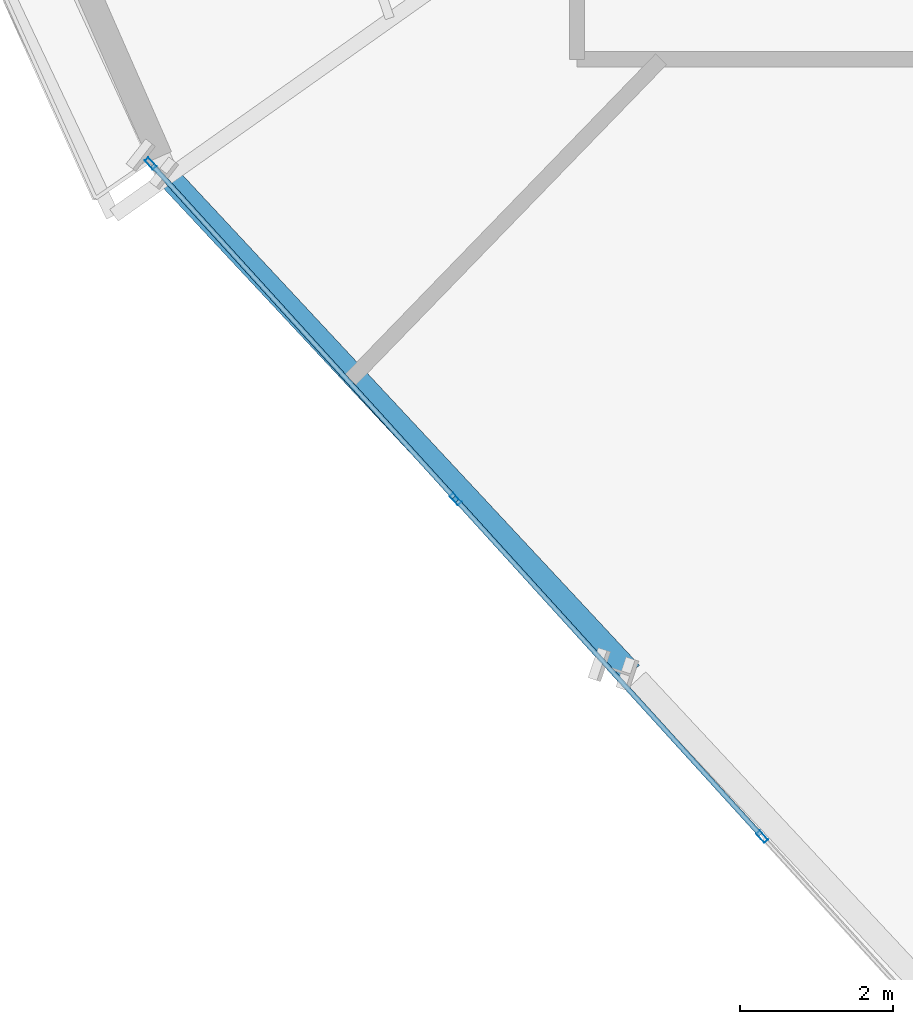
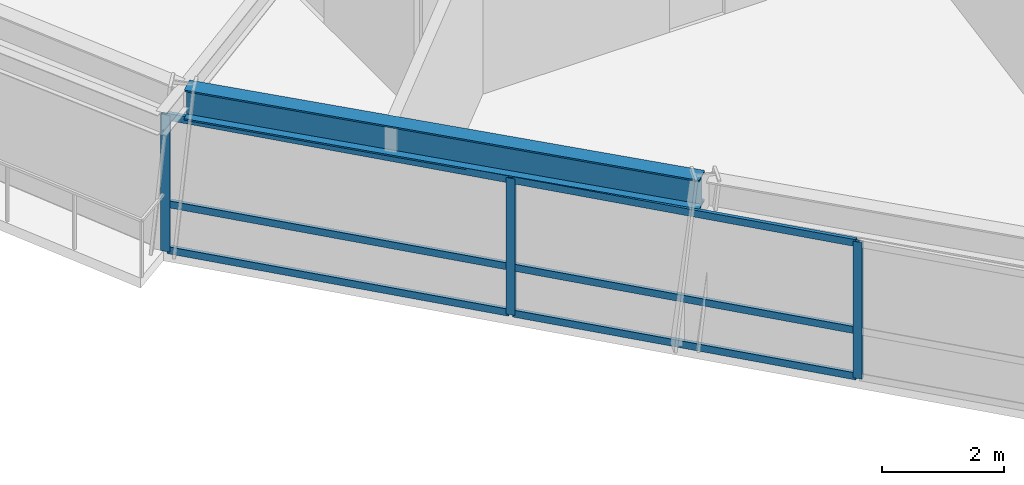
# One storey, part 2 of 13: 9 members, 1 beam, 1 element without a shape of its own.
"""IFC4 building model written with IfcOpenShell, lengths in metres."""

from ifc_helpers import new_model, si_unit, direction, frame, origin, origin_2d, place, context, subcontext, project, spatial, hollow_rectangle, i_section, extrude, source, transform, mapped, material, material_profile, profile_set, type_object, element, aggregate, save


model = new_model("IFC4")

# Units and contexts
model_context = context("Model", 3, precision=1e-05, world=origin(), true_north=direction((0.0, 1.0)))
body_context = subcontext(model_context, "Body", "Model", "MODEL_VIEW")
ifc_project = project(units=[si_unit("LENGTHUNIT", "METRE"), si_unit("AREAUNIT", "SQUARE_METRE"), si_unit("VOLUMEUNIT", "CUBIC_METRE"), si_unit("PLANEANGLEUNIT", "RADIAN"), si_unit("MASSUNIT", "GRAM", prefix="KILO")], contexts=[model_context])

# Site, building, storey
site_placement = place(None, origin())
site = spatial("IfcSite", under=ifc_project, at=site_placement, CompositionType="ELEMENT")
building_placement = place(site_placement, origin())
building = spatial("IfcBuilding", under=site, at=building_placement, Name="Olszyna Solenne Hotel", CompositionType="ELEMENT")
storey_placement = place(building_placement, frame((0.0, 0.0, 175.0)))
storey = spatial("IfcBuildingStorey", under=building, at=storey_placement, Name="L46", CompositionType="ELEMENT", Elevation=175.0)

# Beam
ifc_material_1 = material(Name="Steel S355J2", Category="steel")
ifc_material_profile_1 = material_profile(ifc_material_1, i_section(OverallWidth=0.300048828125, OverallDepth=0.60009765625, WebThickness=0.015380859375, FlangeThickness=0.030029296875, at=origin_2d()), Name="HEB 600", Category="load-bearing")
ifc_profile_set_1 = profile_set([ifc_material_profile_1], Name="Steel S355J2")
beam_type = type_object("IfcBeamType", Name="BM-S2", PredefinedType="BEAM", material=ifc_profile_set_1)
shared_shape_1 = source(origin(), body_context, "Body", "SweptSolid", [
    extrude(i_section(OverallWidth=0.300048828125, OverallDepth=0.60009765625, WebThickness=0.015380859375, FlangeThickness=0.030029296875, at=origin_2d()), origin(), (0.0, 0.0, 1.0), 8.7978515625),
])
beam_placement = place(storey_placement, frame((22.306640625, 15.425537109375, 3.030029296875), z_axis=(0.681905843637, -0.731439963643, 0.0), x_axis=(0.731439963643, 0.681905843637, 0.0)))
element("IfcBeam", 1, at=beam_placement, inside=storey, type_object=beam_type, Name="Perimeter spandrel beam BM-S2 B-L46-1369", PredefinedType="BEAM", context=body_context, shape_type="MappedRepresentation", body=[
    mapped(shared_shape_1, transform((0.0, 0.0, 0.0), x_axis=(1.0, 0.0, 0.0), y_axis=(0.0, 1.0, 0.0), z_axis=(0.0, 0.0, 1.0), scale=1.0)),
])

# Curtain wall, members
ifc_material_2 = material(Name="Anodised bronze aluminium", Category="aluminium")
curtain_wall_type = type_object("IfcCurtainWallType", Name="CW-SYS-4", PredefinedType="NOTDEFINED", material=ifc_material_2)
curtain_wall_placement = place(storey_placement, origin())
curtain_wall = element("IfcCurtainWall", 2, at=curtain_wall_placement, inside=storey, type_object=curtain_wall_type, Name="Unitised curtain wall CW-SYS-4 CW-L46-01", PredefinedType="NOTDEFINED")
ifc_material_profile_2 = material_profile(ifc_material_2, hollow_rectangle(XDim=0.06494140625, YDim=0.159912109375, WallThickness=0.00390625, at=origin_2d()), Name="MULL 160x65x4", Category="load-bearing")
ifc_profile_set_2 = profile_set([ifc_material_profile_2], Name="Anodised bronze aluminium")
member_type_1 = type_object("IfcMemberType", Name="CW-M3", PredefinedType="MULLION", material=ifc_profile_set_2)
shared_shape_2 = source(origin(), body_context, "Body", "SweptSolid", [
    extrude(hollow_rectangle(XDim=0.06494140625, YDim=0.159912109375, WallThickness=0.00390625, at=origin_2d()), origin(), (0.0, 0.0, 1.0), 2.721923828125),
])
member_1_placement = place(storey_placement, frame((22.036376953125, 15.6416015625, 0.0), z_axis=(0.0, 0.0, 1.0), x_axis=(0.740258315562, 0.672322561158, 0.0)))
member_1 = element("IfcMember", 3, at=member_1_placement, type_object=member_type_1, Name="Curtain-wall mullion CW-M3 CM-L46-01-01", PredefinedType="MULLION", context=body_context, shape_type="MappedRepresentation", body=[
    mapped(shared_shape_2, transform((0.0, 0.0, 0.0), x_axis=(1.0, 0.0, 0.0), y_axis=(0.0, 1.0, 0.0), z_axis=(0.0, 0.0, 1.0), scale=1.0)),
])
member_2_placement = place(storey_placement, frame((26.015625, 11.26025390625, 0.0), z_axis=(0.0, 0.0, 1.0), x_axis=(0.740258315562, 0.672322561158, 0.0)))
member_2 = element("IfcMember", 4, at=member_2_placement, type_object=member_type_1, Name="Curtain-wall mullion CW-M3 CM-L46-01-02", PredefinedType="MULLION", context=body_context, shape_type="MappedRepresentation", body=[
    mapped(shared_shape_2, transform((0.0, 0.0, 0.0), x_axis=(1.0, 0.0, 0.0), y_axis=(0.0, 1.0, 0.0), z_axis=(0.0, 0.0, 1.0), scale=1.0)),
])
member_3_placement = place(storey_placement, frame((30.016845703125, 6.854736328125, 0.0), z_axis=(0.0, 0.0, 1.0), x_axis=(0.740258315562, 0.672322561158, 0.0)))
member_3 = element("IfcMember", 5, at=member_3_placement, type_object=member_type_1, Name="Curtain-wall mullion CW-M3 CM-L46-01-03", PredefinedType="MULLION", context=body_context, shape_type="MappedRepresentation", body=[
    mapped(shared_shape_2, transform((0.0, 0.0, 0.0), x_axis=(1.0, 0.0, 0.0), y_axis=(0.0, 1.0, 0.0), z_axis=(0.0, 0.0, 1.0), scale=1.0)),
])
ifc_material_profile_3 = material_profile(ifc_material_2, hollow_rectangle(XDim=0.06494140625, YDim=0.139892578125, WallThickness=0.00390625, at=origin_2d()), Name="TRAN 140x65x4", Category="load-bearing")
ifc_profile_set_3 = profile_set([ifc_material_profile_3], Name="Anodised bronze aluminium")
member_type_2 = type_object("IfcMemberType", Name="CW-T2", PredefinedType="USERDEFINED", material=ifc_profile_set_3)
shared_shape_3 = source(origin(), body_context, "Body", "SweptSolid", [
    extrude(hollow_rectangle(XDim=0.06494140625, YDim=0.139892578125, WallThickness=0.00390625, at=origin_2d()), origin(), (0.0, 0.0, 1.0), 5.853759765625),
])
member_4_placement = place(storey_placement, frame((22.05810546875, 15.61767578125, 0.032470703125), z_axis=(0.67234266454, -0.74024005663, 0.0), x_axis=(0.74024005663, 0.67234266454, 0.0)))
member_4 = element("IfcMember", 6, at=member_4_placement, type_object=member_type_2, Name="Curtain-wall transom CW-T2 CT-L46-01-01", ObjectType="TRANSOM", PredefinedType="USERDEFINED", context=body_context, shape_type="MappedRepresentation", body=[
    mapped(shared_shape_3, transform((0.0, 0.0, 0.0), x_axis=(1.0, 0.0, 0.0), y_axis=(0.0, 1.0, 0.0), z_axis=(0.0, 0.0, 1.0), scale=1.0)),
])
member_5_placement = place(storey_placement, frame((22.05810546875, 15.61767578125, 0.949951171875), z_axis=(0.67234266454, -0.74024005663, 0.0), x_axis=(0.74024005663, 0.67234266454, 0.0)))
member_5 = element("IfcMember", 7, at=member_5_placement, type_object=member_type_2, Name="Curtain-wall transom CW-T2 CT-L46-01-02", ObjectType="TRANSOM", PredefinedType="USERDEFINED", context=body_context, shape_type="MappedRepresentation", body=[
    mapped(shared_shape_3, transform((0.0, 0.0, 0.0), x_axis=(1.0, 0.0, 0.0), y_axis=(0.0, 1.0, 0.0), z_axis=(0.0, 0.0, 1.0), scale=1.0)),
])
member_6_placement = place(storey_placement, frame((22.05810546875, 15.61767578125, 2.689453125), z_axis=(0.67234266454, -0.74024005663, 0.0), x_axis=(0.74024005663, 0.67234266454, 0.0)))
member_6 = element("IfcMember", 8, at=member_6_placement, type_object=member_type_2, Name="Curtain-wall transom CW-T2 CT-L46-01-03", ObjectType="TRANSOM", PredefinedType="USERDEFINED", context=body_context, shape_type="MappedRepresentation", body=[
    mapped(shared_shape_3, transform((0.0, 0.0, 0.0), x_axis=(1.0, 0.0, 0.0), y_axis=(0.0, 1.0, 0.0), z_axis=(0.0, 0.0, 1.0), scale=1.0)),
])
shared_shape_4 = source(origin(), body_context, "Body", "SweptSolid", [
    extrude(hollow_rectangle(XDim=0.06494140625, YDim=0.139892578125, WallThickness=0.00390625, at=origin_2d()), origin(), (0.0, 0.0, 1.0), 5.88623046875),
])
member_7_placement = place(storey_placement, frame((26.03759765625, 11.236328125, 0.032470703125), z_axis=(0.672299040784, -0.740279676717, 0.0), x_axis=(0.740279676717, 0.672299040784, 0.0)))
member_7 = element("IfcMember", 9, at=member_7_placement, type_object=member_type_2, Name="Curtain-wall transom CW-T2 CT-L46-01-04", ObjectType="TRANSOM", PredefinedType="USERDEFINED", context=body_context, shape_type="MappedRepresentation", body=[
    mapped(shared_shape_4, transform((0.0, 0.0, 0.0), x_axis=(1.0, 0.0, 0.0), y_axis=(0.0, 1.0, 0.0), z_axis=(0.0, 0.0, 1.0), scale=1.0)),
])
member_8_placement = place(storey_placement, frame((26.03759765625, 11.236328125, 0.949951171875), z_axis=(0.672299040784, -0.740279676717, 0.0), x_axis=(0.740279676717, 0.672299040784, 0.0)))
member_8 = element("IfcMember", 10, at=member_8_placement, type_object=member_type_2, Name="Curtain-wall transom CW-T2 CT-L46-01-05", ObjectType="TRANSOM", PredefinedType="USERDEFINED", context=body_context, shape_type="MappedRepresentation", body=[
    mapped(shared_shape_4, transform((0.0, 0.0, 0.0), x_axis=(1.0, 0.0, 0.0), y_axis=(0.0, 1.0, 0.0), z_axis=(0.0, 0.0, 1.0), scale=1.0)),
])
member_9_placement = place(storey_placement, frame((26.03759765625, 11.236328125, 2.689453125), z_axis=(0.672299040784, -0.740279676717, 0.0), x_axis=(0.740279676717, 0.672299040784, 0.0)))
member_9 = element("IfcMember", 11, at=member_9_placement, type_object=member_type_2, Name="Curtain-wall transom CW-T2 CT-L46-01-06", ObjectType="TRANSOM", PredefinedType="USERDEFINED", context=body_context, shape_type="MappedRepresentation", body=[
    mapped(shared_shape_4, transform((0.0, 0.0, 0.0), x_axis=(1.0, 0.0, 0.0), y_axis=(0.0, 1.0, 0.0), z_axis=(0.0, 0.0, 1.0), scale=1.0)),
])
aggregate(curtain_wall, [member_1, member_2, member_3, member_4, member_5, member_6, member_7, member_8, member_9])

save(model, "model.ifc")
